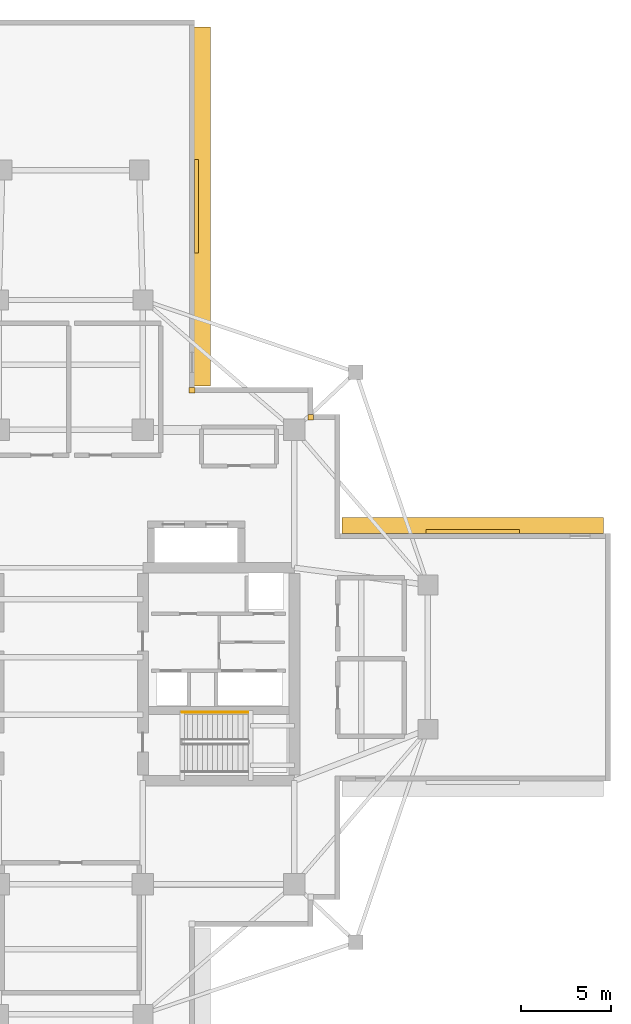
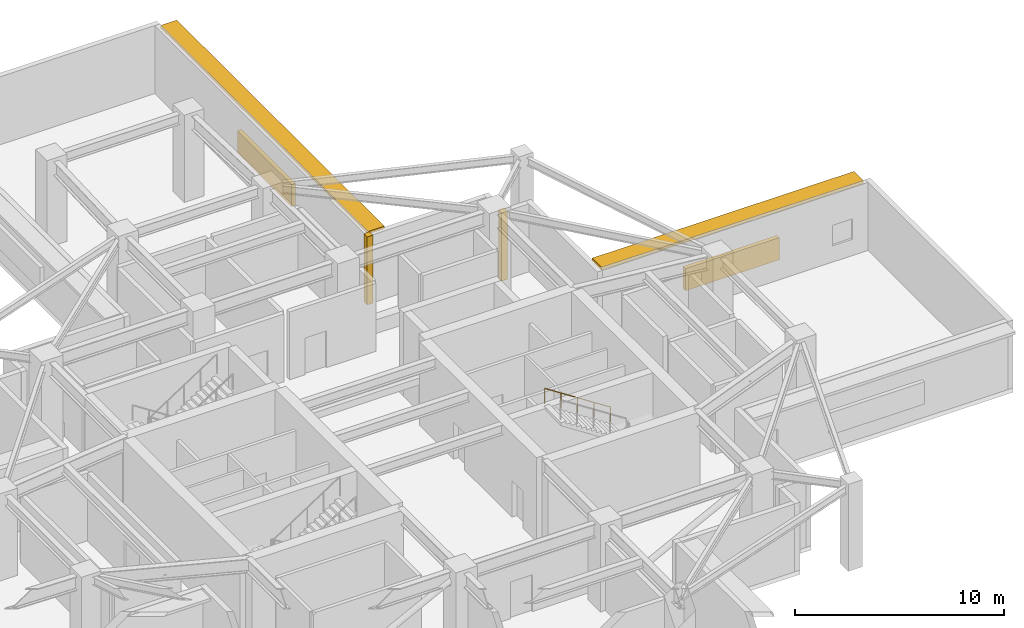
# One storey, part 11 of 11: 4 shading devices, 2 coverings, 1 railing.
"""IFC4 building model written with IfcOpenShell, lengths in metres."""

from ifc_helpers import new_model, si_unit, direction, frame, origin, origin_2d, place, context, subcontext, project, spatial, rectangle, circle, extrude, material, layer, layer_set, type_object, element, save


model = new_model("IFC4")

# Units and contexts
model_context = context("Model", 3, precision=1e-05, world=origin(), true_north=direction((0.0, 1.0)))
body_context = subcontext(model_context, "Body", "Model", "MODEL_VIEW")
ifc_project = project(units=[si_unit("LENGTHUNIT", "METRE"), si_unit("AREAUNIT", "SQUARE_METRE"), si_unit("VOLUMEUNIT", "CUBIC_METRE"), si_unit("PLANEANGLEUNIT", "RADIAN"), si_unit("MASSUNIT", "GRAM", prefix="KILO")], contexts=[model_context])

# Site, building, storey
site_placement = place(None, origin())
site = spatial("IfcSite", under=ifc_project, at=site_placement, CompositionType="ELEMENT")
building_placement = place(site_placement, origin())
building = spatial("IfcBuilding", under=site, at=building_placement, Name="Qingluan Cross Belvedere", CompositionType="ELEMENT")
storey_placement = place(building_placement, frame((0.0, 0.0, 143.699951171875)))
storey = spatial("IfcBuildingStorey", under=building, at=storey_placement, Name="L36", CompositionType="ELEMENT", Elevation=143.699951171875)

# Coverings
ifc_material_1 = material(Name="Precast concrete C45", Category="concrete")
ifc_layer_1 = layer(ifc_material_1, 0.1201171875, Name="ConcreteSpandrelCladding_120")
ifc_layer_set_1 = layer_set([ifc_layer_1], Name="Precast concrete C45")
covering_type = type_object("IfcCoveringType", Name="ConcreteSpandrelCladding_120", PredefinedType="CLADDING", material=ifc_layer_set_1)
for number, where, z_axis, x_axis, name in (
    (1, (13.300048828125, 13.300048828125, 0.0), (0.0, 0.0, 1.0), (1.0, 0.0, 0.0), "Corner closure L36-NE1"),
    (2, (6.719970703125, 14.800048828125, 0.0), (0.0, 0.0, 1.0), (1.0, 0.0, 0.0), "Corner closure L36-NE2"),
):
    element("IfcCovering", number, at=place(storey_placement, frame(where, z_axis=z_axis, x_axis=x_axis)), inside=storey, type_object=covering_type, Name=name, PredefinedType="CLADDING", context=body_context, shape_type="SweptSolid", body=[
        extrude(rectangle(XDim=0.320068359375, YDim=0.320068359375, at=origin_2d()), origin(), (0.0, 0.0, 1.0), 3.97998046875),
    ])

# Shading devices
ifc_material_2 = material(Name="Precast concrete C45", Category="concrete")
ifc_layer_2 = layer(ifc_material_2, 0.159912109375, Name="ConcreteSunshadeBand_900")
ifc_layer_set_2 = layer_set([ifc_layer_2], Name="Precast concrete C45")
shading_device_type_1 = type_object("IfcShadingDeviceType", Name="ConcreteSunshadeBand_900", PredefinedType="USERDEFINED", material=ifc_layer_set_2)
shading_device_1_placement = place(storey_placement, frame((22.2900390625, 7.2900390625, 3.80029296875), z_axis=(0.0, 0.0, 1.0), x_axis=(-1.0, 0.0, 0.0)))
element("IfcShadingDevice", 3, at=shading_device_1_placement, inside=storey, type_object=shading_device_type_1, Name="Concrete SUNSHADE L36-EB", ObjectType="SUNSHADE", PredefinedType="USERDEFINED", context=body_context, shape_type="SweptSolid", body=[
    extrude(rectangle(XDim=14.5, YDim=0.89990234375, at=origin_2d()), origin(), (0.0, 0.0, 1.0), 0.159912109375),
])
shading_device_2_placement = place(storey_placement, frame((7.2900390625, 24.989990234375, 3.80029296875), z_axis=(0.0, 0.0, 1.0), x_axis=(0.0, 1.0, 0.0)))
element("IfcShadingDevice", 4, at=shading_device_2_placement, inside=storey, type_object=shading_device_type_1, Name="Concrete SUNSHADE L36-NA", ObjectType="SUNSHADE", PredefinedType="USERDEFINED", context=body_context, shape_type="SweptSolid", body=[
    extrude(rectangle(XDim=19.89990234375, YDim=0.89990234375, at=origin_2d()), origin(), (0.0, 0.0, 1.0), 0.159912109375),
])
ifc_material_3 = material(Name="Anodised aluminium acoustic louvre screen", Category="aluminium")
ifc_layer_3 = layer(ifc_material_3, 0.219970703125, Name="RefugeAcousticLouvre_Screen")
ifc_layer_set_3 = layer_set([ifc_layer_3], Name="Anodised aluminium acoustic louvre screen")
shading_device_type_2 = type_object("IfcShadingDeviceType", Name="RefugeAcousticLouvre_Screen", PredefinedType="JALOUSIE", material=ifc_layer_set_3)
for number, where, z_axis, x_axis, name in (
    (5, (22.2900390625, 6.9599609375, 0.9501953125), (0.0, 0.0, 1.0), (-1.0, 0.0, 0.0), "Plant acoustic louvre SCREEN L36-EB"),
    (6, (6.9599609375, 24.989990234375, 0.9501953125), (0.0, 0.0, 1.0), (0.0, 1.0, 0.0), "Plant acoustic louvre SCREEN L36-NA"),
):
    element("IfcShadingDevice", number, at=place(storey_placement, frame(where, z_axis=z_axis, x_axis=x_axis)), inside=storey, type_object=shading_device_type_2, Name=name, PredefinedType="JALOUSIE", context=body_context, shape_type="SweptSolid", body=[
        extrude(rectangle(XDim=5.199951171875, YDim=0.219970703125, at=origin_2d()), origin(), (0.0, 0.0, 1.0), 1.300048828125),
    ])

# Railing
ifc_material_4 = material(Name="Brushed stainless steel tubular handrail", Category="steel")
railing_type = type_object("IfcRailingType", Name="StairPitchHandrail_900", PredefinedType="HANDRAIL", material=ifc_material_4)
railing_placement = place(storey_placement, frame((9.820068359375, -3.050048828125, 2.732177734375)))
element("IfcRailing", 7, at=railing_placement, inside=storey, type_object=railing_type, Name="L36 ST2 stair handrail 2", PredefinedType="HANDRAIL", context=body_context, shape_type="SweptSolid", body=[
    extrude(circle(Radius=0.02392578125, at=origin_2d()), frame((0.0, 0.0, 0.8759765625), z_axis=(-0.83825089185, 0.0, 0.545284735081), x_axis=(0.0, -1.0, 0.0)), (0.0, 0.0, 1.0), 4.342529296875),
    extrude(circle(Radius=0.02099609375, at=origin_2d()), origin(), (0.0, 0.0, 1.0), 0.851806640625),
    extrude(circle(Radius=0.02099609375, at=origin_2d()), frame((-0.91015625, 0.0, 0.592041015625)), (0.0, 0.0, 1.0), 0.851806640625),
    extrude(circle(Radius=0.02099609375, at=origin_2d()), frame((-1.820068359375, 0.0, 1.18408203125)), (0.0, 0.0, 1.0), 0.851806640625),
    extrude(circle(Radius=0.02099609375, at=origin_2d()), frame((-2.72998046875, 0.0, 1.77587890625)), (0.0, 0.0, 1.0), 0.851806640625),
    extrude(circle(Radius=0.02099609375, at=origin_2d()), frame((-3.64013671875, 0.0, 2.367919921875)), (0.0, 0.0, 1.0), 0.851806640625),
])

save(model, "model.ifc")
